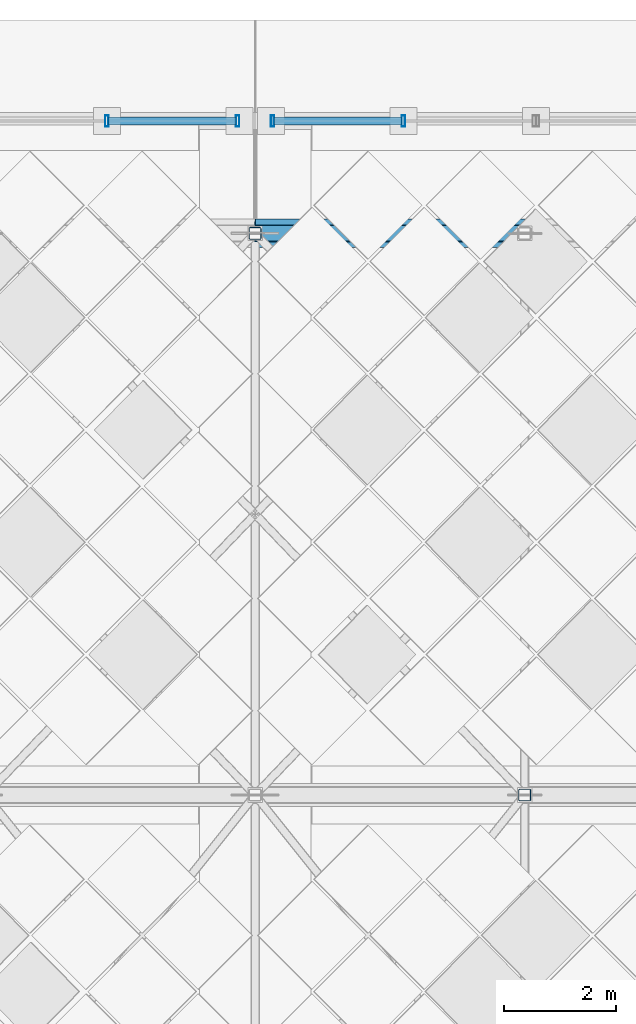
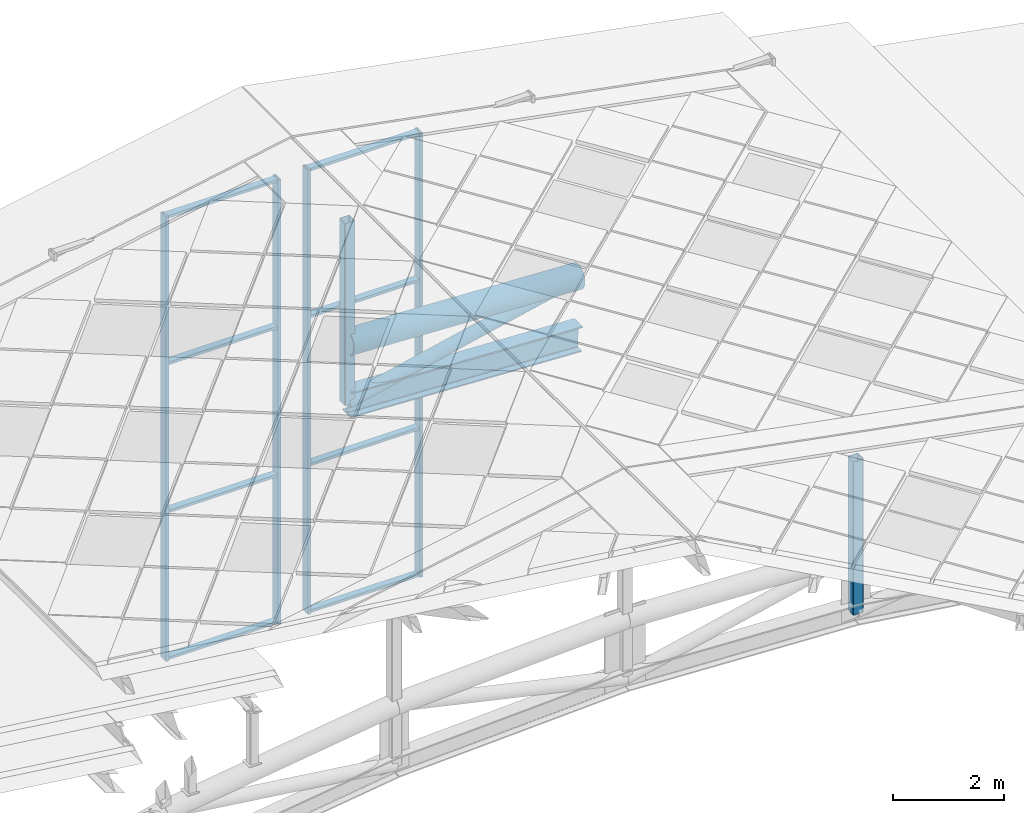
# One storey, part 37 of 117: 17 members, 2 elements without a shape of their own.
"""IFC4 building model written with IfcOpenShell, lengths in metres."""

from ifc_helpers import new_model, si_unit, direction, frame, origin, origin_2d, place, context, subcontext, project, spatial, hollow_rectangle, hollow_circle, i_section, extrude, material, material_profile, profile_set, type_object, element, aggregate, save


model = new_model("IFC4")

# Units and contexts
model_context = context("Model", 3, precision=1e-05, world=origin(), true_north=direction((0.0, 1.0)))
body_context = subcontext(model_context, "Body", "Model", "MODEL_VIEW")
ifc_project = project(units=[si_unit("LENGTHUNIT", "METRE"), si_unit("AREAUNIT", "SQUARE_METRE"), si_unit("VOLUMEUNIT", "CUBIC_METRE"), si_unit("PLANEANGLEUNIT", "RADIAN"), si_unit("MASSUNIT", "GRAM", prefix="KILO")], contexts=[model_context])

# Site, building, storey
site_placement = place(None, origin())
site = spatial("IfcSite", under=ifc_project, at=site_placement, CompositionType="ELEMENT")
building_placement = place(site_placement, origin())
building = spatial("IfcBuilding", under=site, at=building_placement, Name="Merenkruunu Market Hall", CompositionType="ELEMENT")
storey_placement = place(building_placement, frame((0.0, 0.0, 22.800048828125)))
storey = spatial("IfcBuildingStorey", under=building, at=storey_placement, Name="RF", CompositionType="ELEMENT", Elevation=22.800048828125)

# Members
ifc_material_1 = material(Name="Steel S355ML", Category="steel")
ifc_material_profile_1 = material_profile(ifc_material_1, hollow_circle(Radius=0.25390625, WallThickness=0.02001953125, at=origin_2d()), Name="CHS 508x20")
ifc_profile_set_1 = profile_set([ifc_material_profile_1], Name="Steel S355ML")
member_type_1 = type_object("IfcMemberType", Name="Arch Truss Chord TC01", PredefinedType="CHORD", material=ifc_profile_set_1)
member_1_placement = place(storey_placement, frame((28.800048828125, 109.60009765625, -1.446044921875), z_axis=(0.998932934692, 0.0, -0.046184326211), x_axis=(0.0, 1.0, 0.0)))
element("IfcMember", 1, at=member_1_placement, inside=storey, type_object=member_type_1, Name="TRUSS-AT-G-TOP-07", PredefinedType="CHORD", context=body_context, shape_type="SweptSolid", body=[
    extrude(hollow_circle(Radius=0.25390625, WallThickness=0.02001953125, at=origin_2d()), origin(), (0.0, 0.0, 1.0), 4.80517578125),
])
ifc_material_profile_2 = material_profile(ifc_material_1, i_section(OverallWidth=0.300048828125, OverallDepth=0.550048828125, WebThickness=0.014892578125, FlangeThickness=0.029052734375, FilletRadius=0.027099609375, at=origin_2d()), Name="HEB 550")
ifc_profile_set_2 = profile_set([ifc_material_profile_2], Name="Steel S355ML")
member_type_2 = type_object("IfcMemberType", Name="Arch Truss Chord TC03", PredefinedType="CHORD", material=ifc_profile_set_2)
member_2_placement = place(storey_placement, frame((28.800048828125, 109.60009765625, -2.74609375), z_axis=(0.998932934692, 0.0, -0.046184326211), x_axis=(0.0, 1.0, 0.0)))
element("IfcMember", 2, at=member_2_placement, inside=storey, type_object=member_type_2, Name="TRUSS-AT-G-BOT-07", PredefinedType="CHORD", context=body_context, shape_type="SweptSolid", body=[
    extrude(i_section(OverallWidth=0.300048828125, OverallDepth=0.550048828125, WebThickness=0.014892578125, FlangeThickness=0.029052734375, FilletRadius=0.027099609375, at=origin_2d()), origin(), (0.0, 0.0, 1.0), 4.80517578125),
])

# Curtain wall, members
ifc_material_2 = material(Name="Powder-coated aluminium", Category="aluminium")
curtain_wall_type = type_object("IfcCurtainWallType", Name="Glazed Curtain Wall CW18", PredefinedType="USERDEFINED", material=ifc_material_2)
curtain_wall_1_placement = place(storey_placement, origin())
curtain_wall_1 = element("IfcCurtainWall", 3, at=curtain_wall_1_placement, inside=storey, type_object=curtain_wall_type, Name="CW-RF-CWM03-073", ObjectType="GLAZED_FACADE", PredefinedType="USERDEFINED")
ifc_material_profile_3 = material_profile(ifc_material_2, hollow_rectangle(XDim=0.06005859375, YDim=0.199951171875, WallThickness=0.0048828125, at=origin_2d()), Name="ALU 60x200x5")
ifc_profile_set_3 = profile_set([ifc_material_profile_3], Name="Powder-coated aluminium")
member_type_3 = type_object("IfcMemberType", Name="Curtain Wall Mullion CWM03", PredefinedType="MULLION", material=ifc_profile_set_3)
member_3_placement = place(storey_placement, frame((26.159912109375, 111.60009765625, -8.68994140625), z_axis=(0.0, 0.0, 1.0), x_axis=(1.0, 0.0, 0.0)))
member_3 = element("IfcMember", 4, at=member_3_placement, type_object=member_type_3, Name="CW18 mullion 2", PredefinedType="MULLION", context=body_context, shape_type="SweptSolid", body=[
    extrude(hollow_rectangle(XDim=0.06005859375, YDim=0.199951171875, WallThickness=0.0048828125, at=origin_2d()), origin(), (0.0, 0.0, 1.0), 9.769775390625),
])
member_4_placement = place(storey_placement, frame((28.489990234375, 111.60009765625, -8.68994140625), z_axis=(0.0, 0.0, 1.0), x_axis=(1.0, 0.0, 0.0)))
member_4 = element("IfcMember", 5, at=member_4_placement, type_object=member_type_3, Name="CW18 mullion 3", PredefinedType="MULLION", context=body_context, shape_type="SweptSolid", body=[
    extrude(hollow_rectangle(XDim=0.06005859375, YDim=0.199951171875, WallThickness=0.0048828125, at=origin_2d()), origin(), (0.0, 0.0, 1.0), 9.769775390625),
])

curtain_wall_2_placement = place(storey_placement, origin())
curtain_wall_2 = element("IfcCurtainWall", 6, at=curtain_wall_2_placement, inside=storey, type_object=curtain_wall_type, Name="CW-RF-CWM03-074", ObjectType="GLAZED_FACADE", PredefinedType="USERDEFINED")
member_5_placement = place(storey_placement, frame((29.110107421875, 111.60009765625, -8.68994140625), z_axis=(0.0, 0.0, 1.0), x_axis=(1.0, 0.0, 0.0)))
member_5 = element("IfcMember", 7, at=member_5_placement, type_object=member_type_3, Name="CW18 mullion 1", PredefinedType="MULLION", context=body_context, shape_type="SweptSolid", body=[
    extrude(hollow_rectangle(XDim=0.06005859375, YDim=0.199951171875, WallThickness=0.0048828125, at=origin_2d()), origin(), (0.0, 0.0, 1.0), 9.769775390625),
])
member_6_placement = place(storey_placement, frame((31.43994140625, 111.60009765625, -8.68994140625), z_axis=(0.0, 0.0, 1.0), x_axis=(1.0, 0.0, 0.0)))
member_6 = element("IfcMember", 8, at=member_6_placement, type_object=member_type_3, Name="CW18 mullion 2", PredefinedType="MULLION", context=body_context, shape_type="SweptSolid", body=[
    extrude(hollow_rectangle(XDim=0.06005859375, YDim=0.199951171875, WallThickness=0.0048828125, at=origin_2d()), origin(), (0.0, 0.0, 1.0), 9.769775390625),
])

# Member
ifc_material_profile_4 = material_profile(ifc_material_2, hollow_rectangle(XDim=0.06005859375, YDim=0.139892578125, WallThickness=0.00390625, at=origin_2d()), Name="ALU 60x140x4")
ifc_profile_set_4 = profile_set([ifc_material_profile_4], Name="Powder-coated aluminium")
member_type_4 = type_object("IfcMemberType", Name="Curtain Wall Transom CWT02", PredefinedType="USERDEFINED", material=ifc_profile_set_4)
member_7_placement = place(storey_placement, frame((26.18994140625, 111.60009765625, -8.66015625), z_axis=(1.0, 0.0, 0.0), x_axis=(0.0, 0.0, 1.0)))
member_7 = element("IfcMember", 9, at=member_7_placement, type_object=member_type_4, Name="CW18 transom 2.1", ObjectType="TRANSOM", PredefinedType="USERDEFINED", context=body_context, shape_type="SweptSolid", body=[
    extrude(hollow_rectangle(XDim=0.06005859375, YDim=0.139892578125, WallThickness=0.00390625, at=origin_2d()), origin(), (0.0, 0.0, 1.0), 2.27001953125),
])

member_8_placement = place(storey_placement, frame((26.18994140625, 111.60009765625, -5.43310546875), z_axis=(1.0, 0.0, 0.0), x_axis=(0.0, 0.0, 1.0)))
member_8 = element("IfcMember", 10, at=member_8_placement, type_object=member_type_4, Name="CW18 transom 2.2", ObjectType="TRANSOM", PredefinedType="USERDEFINED", context=body_context, shape_type="SweptSolid", body=[
    extrude(hollow_rectangle(XDim=0.06005859375, YDim=0.139892578125, WallThickness=0.00390625, at=origin_2d()), origin(), (0.0, 0.0, 1.0), 2.27001953125),
])

member_9_placement = place(storey_placement, frame((26.18994140625, 111.60009765625, -2.177001953125), z_axis=(1.0, 0.0, 0.0), x_axis=(0.0, 0.0, 1.0)))
member_9 = element("IfcMember", 11, at=member_9_placement, type_object=member_type_4, Name="CW18 transom 2.3", ObjectType="TRANSOM", PredefinedType="USERDEFINED", context=body_context, shape_type="SweptSolid", body=[
    extrude(hollow_rectangle(XDim=0.06005859375, YDim=0.139892578125, WallThickness=0.00390625, at=origin_2d()), origin(), (0.0, 0.0, 1.0), 2.27001953125),
])

member_10_placement = place(storey_placement, frame((26.18994140625, 111.60009765625, 1.050048828125), z_axis=(1.0, 0.0, 0.0), x_axis=(0.0, 0.0, 1.0)))
member_10 = element("IfcMember", 12, at=member_10_placement, type_object=member_type_4, Name="CW18 transom 2.4", ObjectType="TRANSOM", PredefinedType="USERDEFINED", context=body_context, shape_type="SweptSolid", body=[
    extrude(hollow_rectangle(XDim=0.06005859375, YDim=0.139892578125, WallThickness=0.00390625, at=origin_2d()), origin(), (0.0, 0.0, 1.0), 2.27001953125),
])

aggregate(curtain_wall_1, [member_3, member_4, member_7, member_8, member_9, member_10])

member_11_placement = place(storey_placement, frame((29.139892578125, 111.60009765625, -8.66015625), z_axis=(1.0, 0.0, 0.0), x_axis=(0.0, 0.0, 1.0)))
member_11 = element("IfcMember", 13, at=member_11_placement, type_object=member_type_4, Name="CW18 transom 1.1", ObjectType="TRANSOM", PredefinedType="USERDEFINED", context=body_context, shape_type="SweptSolid", body=[
    extrude(hollow_rectangle(XDim=0.06005859375, YDim=0.139892578125, WallThickness=0.00390625, at=origin_2d()), origin(), (0.0, 0.0, 1.0), 2.27001953125),
])

member_12_placement = place(storey_placement, frame((29.139892578125, 111.60009765625, -5.43310546875), z_axis=(1.0, 0.0, 0.0), x_axis=(0.0, 0.0, 1.0)))
member_12 = element("IfcMember", 14, at=member_12_placement, type_object=member_type_4, Name="CW18 transom 1.2", ObjectType="TRANSOM", PredefinedType="USERDEFINED", context=body_context, shape_type="SweptSolid", body=[
    extrude(hollow_rectangle(XDim=0.06005859375, YDim=0.139892578125, WallThickness=0.00390625, at=origin_2d()), origin(), (0.0, 0.0, 1.0), 2.27001953125),
])

member_13_placement = place(storey_placement, frame((29.139892578125, 111.60009765625, -2.177001953125), z_axis=(1.0, 0.0, 0.0), x_axis=(0.0, 0.0, 1.0)))
member_13 = element("IfcMember", 15, at=member_13_placement, type_object=member_type_4, Name="CW18 transom 1.3", ObjectType="TRANSOM", PredefinedType="USERDEFINED", context=body_context, shape_type="SweptSolid", body=[
    extrude(hollow_rectangle(XDim=0.06005859375, YDim=0.139892578125, WallThickness=0.00390625, at=origin_2d()), origin(), (0.0, 0.0, 1.0), 2.27001953125),
])

member_14_placement = place(storey_placement, frame((29.139892578125, 111.60009765625, 1.050048828125), z_axis=(1.0, 0.0, 0.0), x_axis=(0.0, 0.0, 1.0)))
member_14 = element("IfcMember", 16, at=member_14_placement, type_object=member_type_4, Name="CW18 transom 1.4", ObjectType="TRANSOM", PredefinedType="USERDEFINED", context=body_context, shape_type="SweptSolid", body=[
    extrude(hollow_rectangle(XDim=0.06005859375, YDim=0.139892578125, WallThickness=0.00390625, at=origin_2d()), origin(), (0.0, 0.0, 1.0), 2.27001953125),
])

aggregate(curtain_wall_2, [member_5, member_6, member_11, member_12, member_13, member_14])

# Members
ifc_material_profile_5 = material_profile(ifc_material_1, hollow_circle(Radius=0.136474609375, WallThickness=0.012451171875, at=origin_2d()), Name="CHS 273x12.5")
ifc_profile_set_5 = profile_set([ifc_material_profile_5], Name="Steel S355ML")
member_type_5 = type_object("IfcMemberType", Name="Diagonal Sway Brace BR02", PredefinedType="BRACE", material=ifc_profile_set_5)
member_15_placement = place(storey_placement, frame((28.800048828125, 109.60009765625, -2.74609375), z_axis=(0.975691787326, 0.0, 0.219147293262), x_axis=(0.0, 1.0, 0.0)))
element("IfcMember", 17, at=member_15_placement, inside=storey, type_object=member_type_5, Name="TRUSS-AT-G-DIAG-07", PredefinedType="BRACE", context=body_context, shape_type="SweptSolid", body=[
    extrude(hollow_circle(Radius=0.136474609375, WallThickness=0.012451171875, at=origin_2d()), origin(), (0.0, 0.0, 1.0), 4.919677734375),
])
ifc_material_3 = material(Name="Steel S355J2", Category="steel")
ifc_material_profile_6 = material_profile(ifc_material_3, hollow_rectangle(XDim=0.219970703125, YDim=0.219970703125, WallThickness=0.012451171875, InnerFilletRadius=0.012451171875, OuterFilletRadius=0.02490234375, at=origin_2d()), Name="SHS 220x220x12.5")
ifc_profile_set_6 = profile_set([ifc_material_profile_6], Name="Steel S355J2")
member_type_6 = type_object("IfcMemberType", Name="Diagonal Sway Brace BR04", PredefinedType="BRACE", material=ifc_profile_set_6)
member_16_placement = place(storey_placement, frame((33.60009765625, 99.60009765625, -2.968017578125), z_axis=(0.0, 0.0, 1.0), x_axis=(1.0, 0.0, 0.0)))
element("IfcMember", 18, at=member_16_placement, inside=storey, type_object=member_type_6, Name="TRUSS-AT-8-POST-07", PredefinedType="BRACE", context=body_context, shape_type="SweptSolid", body=[
    extrude(hollow_rectangle(XDim=0.219970703125, YDim=0.219970703125, WallThickness=0.012451171875, InnerFilletRadius=0.012451171875, OuterFilletRadius=0.02490234375, at=origin_2d()), origin(), (0.0, 0.0, 1.0), 3.3720703125),
])
member_17_placement = place(storey_placement, frame((28.800048828125, 109.60009765625, -2.74609375), z_axis=(0.0, 0.0, 1.0), x_axis=(1.0, 0.0, 0.0)))
element("IfcMember", 19, at=member_17_placement, inside=storey, type_object=member_type_6, Name="TRUSS-AT-G-POST-06", PredefinedType="BRACE", context=body_context, shape_type="SweptSolid", body=[
    extrude(hollow_rectangle(XDim=0.219970703125, YDim=0.219970703125, WallThickness=0.012451171875, InnerFilletRadius=0.012451171875, OuterFilletRadius=0.02490234375, at=origin_2d()), origin(), (0.0, 0.0, 1.0), 4.00244140625),
])

save(model, "model.ifc")
